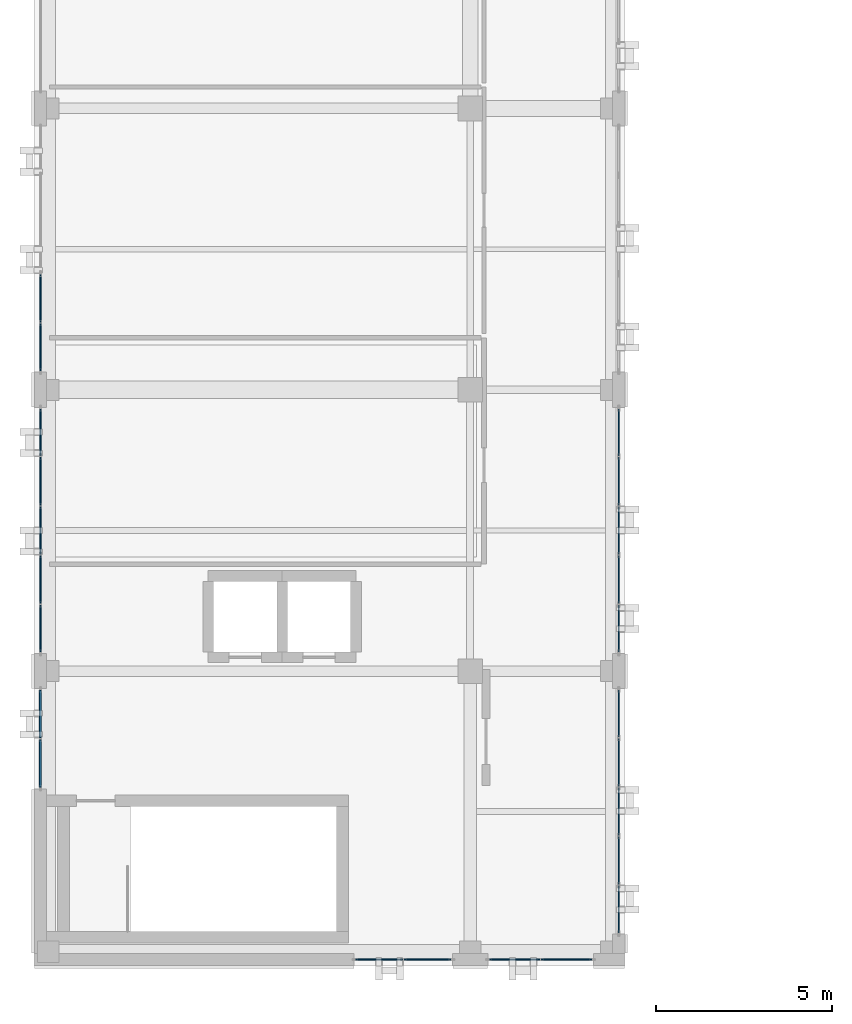
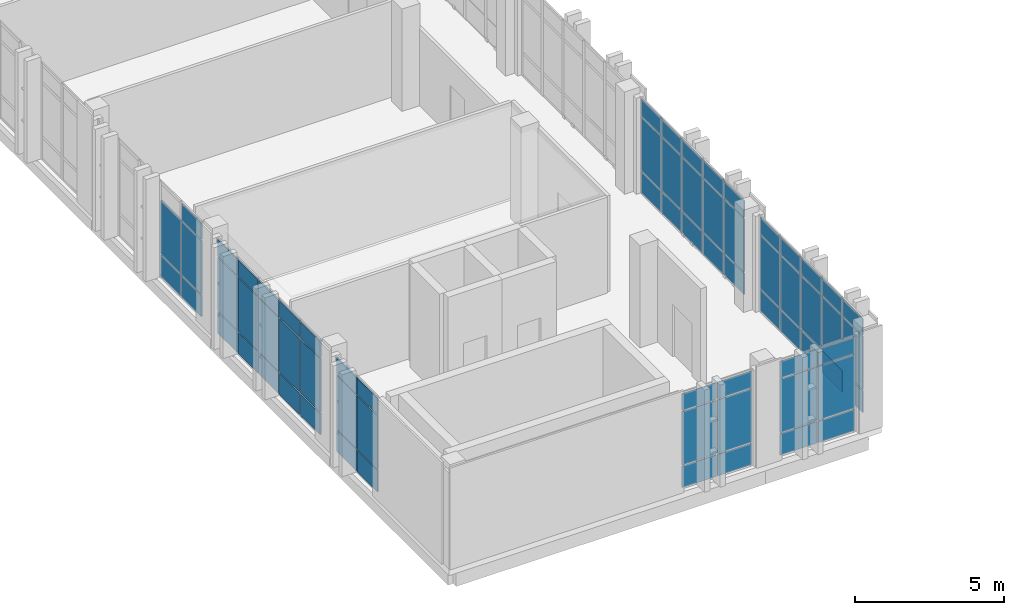
# One storey, part 31 of 48: 68 plates, 7 elements without a shape of their own.
"""IFC4 building model written with IfcOpenShell, lengths in metres."""

import ifcopenshell
import ifcopenshell.guid

model = None  # the IFC model being written
_history = None  # IfcOwnerHistory: only IFC2X3 demands one
_inside = {}  # id of a spatial element -> (the spatial element, [elements in it])
_under = {}  # id of a project, library or spatial element -> (it, [spatial elements below it])
_declared = {}  # id of a project -> (the project, [libraries it declares])
_typed = {}  # id of a type object -> (the type object, [elements of that type])
_made_of = {}  # id of a material, layer set ... -> (it, [elements and type objects made of it])


def new_model(schema):
    """Start an empty IFC model of exactly this schema.

    Asked for "IFC4X3", IfcOpenShell would pick the latest addendum, in which some entities
    have other attributes; the version numbers below select the first issue.
    IFC2X3 requires an IfcOwnerHistory on every rooted entity: one is made here for all.
    """
    global model, _history
    if schema == "IFC4X3":
        model = ifcopenshell.file(schema_version=(4, 3, 0, 0))
    else:
        model = ifcopenshell.file(schema=schema)
    _inside.clear()
    _under.clear()
    _declared.clear()
    _typed.clear()
    _made_of.clear()
    _history = None
    if model.schema == "IFC2X3":
        org = make("IfcOrganization", Name="unknown")
        user = make(
            "IfcPersonAndOrganization",
            ThePerson=make("IfcPerson", FamilyName="unknown"),
            TheOrganization=org,
        )
        app = make(
            "IfcApplication",
            ApplicationDeveloper=org,
            Version="unknown",
            ApplicationFullName="unknown",
            ApplicationIdentifier="unknown",
        )
        _history = make(
            "IfcOwnerHistory",
            OwningUser=user,
            OwningApplication=app,
            ChangeAction="ADDED",
            CreationDate=0,
        )
    return model


def make(cls, **values):
    """One entity of the class cls with the attributes given. An attribute that is None is left unset."""
    return model.create_entity(
        cls, **{name: value for name, value in values.items() if value is not None}
    )


def rooted(cls, **values):
    """An entity with a GlobalId (a new one), such as an element, a storey or a relation."""
    return make(cls, GlobalId=ifcopenshell.guid.new(), OwnerHistory=_history, **values)


def si_unit(unit_type, name, prefix=None):
    """IfcSIUnit, for example si_unit("LENGTHUNIT", "METRE", prefix="MILLI")."""
    return make("IfcSIUnit", UnitType=unit_type, Prefix=prefix, Name=name)


def assignment(units):
    """IfcUnitAssignment: the units of a project."""
    return None if units is None else make("IfcUnitAssignment", Units=units)


def point(xyz):
    """IfcCartesianPoint."""
    return None if xyz is None else make("IfcCartesianPoint", Coordinates=xyz)


def direction(xyz):
    """IfcDirection."""
    return None if xyz is None else make("IfcDirection", DirectionRatios=xyz)


def frame(location, z_axis=None, x_axis=None):
    """IfcAxis2Placement3D, a coordinate frame: its origin and axes. An axis left out is left unset."""
    return make(
        "IfcAxis2Placement3D",
        Location=point(location),
        Axis=direction(z_axis),
        RefDirection=direction(x_axis),
    )


def frame_2d(location, x_axis=None):
    """IfcAxis2Placement2D, a coordinate frame in the plane: its origin and x axis."""
    return make(
        "IfcAxis2Placement2D", Location=point(location), RefDirection=direction(x_axis)
    )


def origin():
    """The frame at (0, 0, 0) with its axes left unset."""
    return frame((0.0, 0.0, 0.0))


def origin_2d():
    """The frame at (0, 0) in the plane with its x axis left unset."""
    return frame_2d((0.0, 0.0))


def place(relative_to, where):
    """IfcLocalPlacement: puts the frame where relative to a parent placement (None: the world)."""
    return make(
        "IfcLocalPlacement", PlacementRelTo=relative_to, RelativePlacement=where
    )


def context(
    kind, dimensions, precision=None, world=None, true_north=None, identifier=None
):
    """IfcGeometricRepresentationContext, for example the 3D "Model" context."""
    return make(
        "IfcGeometricRepresentationContext",
        ContextIdentifier=identifier,
        ContextType=kind,
        CoordinateSpaceDimension=dimensions,
        Precision=precision,
        WorldCoordinateSystem=world,
        TrueNorth=true_north,
    )


def subcontext(parent, identifier, kind, view, scale=None):
    """IfcGeometricRepresentationSubContext, for example "Body" below "Model"."""
    return make(
        "IfcGeometricRepresentationSubContext",
        ContextIdentifier=identifier,
        ContextType=kind,
        ParentContext=parent,
        TargetScale=scale,
        TargetView=view,
    )


def project(units=None, contexts=None):
    """IfcProject with its units and contexts."""
    return rooted(
        "IfcProject",
        Name="project",
        RepresentationContexts=contexts,
        UnitsInContext=assignment(units),
    )


def spatial(cls, under=None, at=None, **own):
    """A site, building, storey or space (cls), placed at a placement, below another one or the project."""
    s = rooted(cls, ObjectPlacement=at, **own)
    if under is not None:
        _under.setdefault(under.id(), (under, []))[1].append(s)
    return s


def profile(cls, at=None, kind="AREA", **sizes):
    """A parametric profile (cls). Its sizes go by their IFC names, for example OverallWidth=200.0."""
    return make(cls, ProfileType=kind, Position=at, **sizes)


def rectangle(**sizes):
    """IfcRectangleProfileDef."""
    return profile("IfcRectangleProfileDef", **sizes)


def extrude(swept, where, along, depth):
    """IfcExtrudedAreaSolid: the profile swept, set in the frame where, extruded along a direction by depth."""
    return make(
        "IfcExtrudedAreaSolid",
        SweptArea=swept,
        Position=where,
        ExtrudedDirection=direction(along),
        Depth=depth,
    )


def shape(context_of_items, identifier, shape_type, items):
    """IfcShapeRepresentation: the items that make up one representation, for example the "Body"."""
    return make(
        "IfcShapeRepresentation",
        ContextOfItems=context_of_items,
        RepresentationIdentifier=identifier,
        RepresentationType=shape_type,
        Items=items,
    )


def material(Name=None, Category=None):
    """IfcMaterial."""
    return make("IfcMaterial", Name=Name, Category=Category)


def layer(
    of_material, thickness, ventilated=None, Name=None, Category=None, Priority=None
):
    """IfcMaterialLayer: one layer of a wall or slab, of a material (None: an air gap)."""
    return make(
        "IfcMaterialLayer",
        Material=of_material,
        LayerThickness=thickness,
        IsVentilated=ventilated,
        Name=Name,
        Category=Category,
        Priority=Priority,
    )


def layer_set(layers, Name=None):
    """IfcMaterialLayerSet."""
    return make("IfcMaterialLayerSet", MaterialLayers=layers, LayerSetName=Name)


def made_of(thing, what):
    """Note that an element or type object is made of a material, layer set ...; save() writes the relation."""
    if what is not None:
        _made_of.setdefault(what.id(), (what, []))[1].append(thing)
    return thing


def type_object(cls, material=None, **own):
    """A type object (cls), such as IfcWallType, which elements share."""
    return made_of(rooted(cls, **own), material)


def element(
    cls,
    number,
    at=None,
    inside=None,
    cuts=None,
    type_object=None,
    material=None,
    context=None,
    identifier="Body",
    shape_type=None,
    held_by="IfcProductDefinitionShape",
    body=None,
    shapes=None,
    **own,
):
    """One element of the class cls, such as IfcWall. Its Tag is "e" and its number.

    at: its placement. inside: the storey or other place that contains it. cuts: it is an
    opening in that element (IfcRelVoidsElement). A single representation is given by context,
    identifier, shape_type and body (its items); several are given by shapes. held_by: the class
    of the entity that holds the representations. save() writes the other relations.
    """
    e = rooted(cls, Tag="e%d" % number, ObjectPlacement=at, **own)
    if body is not None:
        shapes = [shape(context, identifier, shape_type, body)]
    if shapes is not None:
        e.Representation = make(held_by, Representations=shapes)
    if inside is not None:
        _inside.setdefault(inside.id(), (inside, []))[1].append(e)
    if cuts is not None:
        rooted(
            "IfcRelVoidsElement", RelatingBuildingElement=cuts, RelatedOpeningElement=e
        )
    if type_object is not None:
        _typed.setdefault(type_object.id(), (type_object, []))[1].append(e)
    return made_of(e, material)


def aggregate(whole, parts):
    """IfcRelAggregates: a whole, such as a stair, and the parts it consists of."""
    return rooted("IfcRelAggregates", RelatingObject=whole, RelatedObjects=parts)


def save(model, path):
    """Write the relations noted so far, then the file.

    IfcRelAggregates (storeys below a building ...), IfcRelContainedInSpatialStructure (elements
    in a storey), IfcRelDefinesByType, IfcRelAssociatesMaterial and IfcRelDeclares: one each for
    every whole, place, type object, material and project.
    """
    for whole, parts in _under.values():
        aggregate(whole, parts)
    for where, things in _inside.values():
        rooted(
            "IfcRelContainedInSpatialStructure",
            RelatedElements=things,
            RelatingStructure=where,
        )
    for kind, things in _typed.values():
        rooted("IfcRelDefinesByType", RelatedObjects=things, RelatingType=kind)
    for what, things in _made_of.values():
        rooted("IfcRelAssociatesMaterial", RelatedObjects=things, RelatingMaterial=what)
    for by, libraries in _declared.values():
        rooted("IfcRelDeclares", RelatingContext=by, RelatedDefinitions=libraries)
    model.write(path)


model = new_model("IFC4")

# Units and contexts
model_context = context("Model", 3, precision=1e-05, world=origin(), true_north=direction((0.0, 1.0)))
body_context = subcontext(model_context, "Body", "Model", "MODEL_VIEW")
ifc_project = project(units=[si_unit("LENGTHUNIT", "METRE"), si_unit("AREAUNIT", "SQUARE_METRE"), si_unit("VOLUMEUNIT", "CUBIC_METRE"), si_unit("PLANEANGLEUNIT", "RADIAN"), si_unit("MASSUNIT", "GRAM", prefix="KILO")], contexts=[model_context])

# Site, building, storey
site_placement = place(None, origin())
site = spatial("IfcSite", under=ifc_project, at=site_placement, CompositionType="ELEMENT")
building_placement = place(site_placement, origin())
building = spatial("IfcBuilding", under=site, at=building_placement, Name="Qalavern Law Courts", CompositionType="ELEMENT")
storey_placement = place(building_placement, frame((0.0, 0.0, 31.199951171875)))
storey = spatial("IfcBuildingStorey", under=building, at=storey_placement, Name="L07", CompositionType="ELEMENT", Elevation=31.199951171875)

# Curtain wall, plates
ifc_material_1 = material(Name="Anodised aluminium and insulated glazing", Category="aluminium")
ifc_layer_1 = layer(ifc_material_1, 0.159912109375)
ifc_layer_set_1 = layer_set([ifc_layer_1], Name="Anodised aluminium and insulated glazing")
curtain_wall_type = type_object("IfcCurtainWallType", Name="ENV-CW-CHAMB", PredefinedType="USERDEFINED", material=ifc_layer_set_1)
curtain_wall_1_placement = place(storey_placement, origin())
curtain_wall_1 = element("IfcCurtainWall", 1, at=curtain_wall_1_placement, inside=storey, type_object=curtain_wall_type, Name="V3 unitised curtain wall L07 south 1", ObjectType="UNITISED CURTAIN WALL", PredefinedType="USERDEFINED")
ifc_material_2 = material(Name="Insulated low-E acoustic glazing", Category="glass")
ifc_layer_2 = layer(ifc_material_2, 0.035888671875)
ifc_layer_set_2 = layer_set([ifc_layer_2], Name="Insulated low-E acoustic glazing")
plate_type_1 = type_object("IfcPlateType", Name="ENV-CWP-36", PredefinedType="CURTAIN_PANEL", material=ifc_layer_set_2)
plate_1_placement = place(storey_placement, frame((11.81201171875, 41.197509765625, 0.048095703125), z_axis=(0.0, 0.0, 1.0), x_axis=(1.0, 0.0, 0.0)))
plate_1 = element("IfcPlate", 2, at=plate_1_placement, type_object=plate_type_1, Name="CW-04 panel 1.1", PredefinedType="CURTAIN_PANEL", context=body_context, shape_type="SweptSolid", body=[
    extrude(rectangle(XDim=1.327880859375, YDim=0.035888671875, at=origin_2d()), origin(), (0.0, 0.0, 1.0), 0.8779296875),
])
plate_2_placement = place(storey_placement, frame((11.81201171875, 41.197509765625, 0.97412109375), z_axis=(0.0, 0.0, 1.0), x_axis=(1.0, 0.0, 0.0)))
plate_2 = element("IfcPlate", 3, at=plate_2_placement, type_object=plate_type_1, Name="CW-04 panel 1.2", PredefinedType="CURTAIN_PANEL", context=body_context, shape_type="SweptSolid", body=[
    extrude(rectangle(XDim=1.327880859375, YDim=0.035888671875, at=origin_2d()), origin(), (0.0, 0.0, 1.0), 2.19189453125),
])
plate_3_placement = place(storey_placement, frame((11.81201171875, 41.197509765625, 3.2138671875), z_axis=(0.0, 0.0, 1.0), x_axis=(1.0, 0.0, 0.0)))
plate_3 = element("IfcPlate", 4, at=plate_3_placement, type_object=plate_type_1, Name="CW-04 panel 1.3", PredefinedType="CURTAIN_PANEL", context=body_context, shape_type="SweptSolid", body=[
    extrude(rectangle(XDim=1.327880859375, YDim=0.035888671875, at=origin_2d()), origin(), (0.0, 0.0, 1.0), 0.677978515625),
])
plate_4_placement = place(storey_placement, frame((13.18798828125, 41.197509765625, 0.048095703125), z_axis=(0.0, 0.0, 1.0), x_axis=(1.0, 0.0, 0.0)))
plate_4 = element("IfcPlate", 5, at=plate_4_placement, type_object=plate_type_1, Name="CW-04 panel 2.1", PredefinedType="CURTAIN_PANEL", context=body_context, shape_type="SweptSolid", body=[
    extrude(rectangle(XDim=1.327880859375, YDim=0.035888671875, at=origin_2d()), origin(), (0.0, 0.0, 1.0), 0.8779296875),
])
plate_5_placement = place(storey_placement, frame((13.18798828125, 41.197509765625, 0.97412109375), z_axis=(0.0, 0.0, 1.0), x_axis=(1.0, 0.0, 0.0)))
plate_5 = element("IfcPlate", 6, at=plate_5_placement, type_object=plate_type_1, Name="CW-04 panel 2.2", PredefinedType="CURTAIN_PANEL", context=body_context, shape_type="SweptSolid", body=[
    extrude(rectangle(XDim=1.327880859375, YDim=0.035888671875, at=origin_2d()), origin(), (0.0, 0.0, 1.0), 2.19189453125),
])
plate_6_placement = place(storey_placement, frame((13.18798828125, 41.197509765625, 3.2138671875), z_axis=(0.0, 0.0, 1.0), x_axis=(1.0, 0.0, 0.0)))
plate_6 = element("IfcPlate", 7, at=plate_6_placement, type_object=plate_type_1, Name="CW-04 panel 2.3", PredefinedType="CURTAIN_PANEL", context=body_context, shape_type="SweptSolid", body=[
    extrude(rectangle(XDim=1.327880859375, YDim=0.035888671875, at=origin_2d()), origin(), (0.0, 0.0, 1.0), 0.677978515625),
])
aggregate(curtain_wall_1, [plate_1, plate_2, plate_3, plate_4, plate_5, plate_6])

curtain_wall_2_placement = place(storey_placement, origin())
curtain_wall_2 = element("IfcCurtainWall", 8, at=curtain_wall_2_placement, inside=storey, type_object=curtain_wall_type, Name="V3 unitised curtain wall L07 east 1", ObjectType="UNITISED CURTAIN WALL", PredefinedType="USERDEFINED")
plate_7_placement = place(storey_placement, frame((18.62255859375, 42.6298828125, 0.048095703125), z_axis=(0.0, 0.0, 1.0), x_axis=(0.0, 1.0, 0.0)))
plate_7 = element("IfcPlate", 9, at=plate_7_placement, type_object=plate_type_1, Name="CW-04 panel 1.1", PredefinedType="CURTAIN_PANEL", context=body_context, shape_type="SweptSolid", body=[
    extrude(rectangle(XDim=1.323974609375, YDim=0.035888671875, at=origin_2d()), origin(), (0.0, 0.0, 1.0), 0.8779296875),
])
plate_8_placement = place(storey_placement, frame((18.62255859375, 42.6298828125, 0.97412109375), z_axis=(0.0, 0.0, 1.0), x_axis=(0.0, 1.0, 0.0)))
plate_8 = element("IfcPlate", 10, at=plate_8_placement, type_object=plate_type_1, Name="CW-04 panel 1.2", PredefinedType="CURTAIN_PANEL", context=body_context, shape_type="SweptSolid", body=[
    extrude(rectangle(XDim=1.323974609375, YDim=0.035888671875, at=origin_2d()), origin(), (0.0, 0.0, 1.0), 2.19189453125),
])
plate_9_placement = place(storey_placement, frame((18.62255859375, 42.6298828125, 3.2138671875), z_axis=(0.0, 0.0, 1.0), x_axis=(0.0, 1.0, 0.0)))
plate_9 = element("IfcPlate", 11, at=plate_9_placement, type_object=plate_type_1, Name="CW-04 panel 1.3", PredefinedType="CURTAIN_PANEL", context=body_context, shape_type="SweptSolid", body=[
    extrude(rectangle(XDim=1.323974609375, YDim=0.035888671875, at=origin_2d()), origin(), (0.0, 0.0, 1.0), 0.677978515625),
])
plate_10_placement = place(storey_placement, frame((18.62255859375, 44.013916015625, 0.048095703125), z_axis=(0.0, 0.0, 1.0), x_axis=(0.0, 1.0, 0.0)))
plate_10 = element("IfcPlate", 12, at=plate_10_placement, type_object=plate_type_1, Name="CW-04 panel 2.1", PredefinedType="CURTAIN_PANEL", context=body_context, shape_type="SweptSolid", body=[
    extrude(rectangle(XDim=1.347900390625, YDim=0.035888671875, at=origin_2d()), origin(), (0.0, 0.0, 1.0), 0.8779296875),
])
plate_11_placement = place(storey_placement, frame((18.62255859375, 44.013916015625, 0.97412109375), z_axis=(0.0, 0.0, 1.0), x_axis=(0.0, 1.0, 0.0)))
plate_11 = element("IfcPlate", 13, at=plate_11_placement, type_object=plate_type_1, Name="CW-04 panel 2.2", PredefinedType="CURTAIN_PANEL", context=body_context, shape_type="SweptSolid", body=[
    extrude(rectangle(XDim=1.347900390625, YDim=0.035888671875, at=origin_2d()), origin(), (0.0, 0.0, 1.0), 2.19189453125),
])
plate_12_placement = place(storey_placement, frame((18.62255859375, 44.013916015625, 3.2138671875), z_axis=(0.0, 0.0, 1.0), x_axis=(0.0, 1.0, 0.0)))
plate_12 = element("IfcPlate", 14, at=plate_12_placement, type_object=plate_type_1, Name="CW-04 panel 2.3", PredefinedType="CURTAIN_PANEL", context=body_context, shape_type="SweptSolid", body=[
    extrude(rectangle(XDim=1.347900390625, YDim=0.035888671875, at=origin_2d()), origin(), (0.0, 0.0, 1.0), 0.677978515625),
])
plate_13_placement = place(storey_placement, frame((18.62255859375, 45.409912109375, 0.048095703125), z_axis=(0.0, 0.0, 1.0), x_axis=(0.0, 1.0, 0.0)))
plate_13 = element("IfcPlate", 15, at=plate_13_placement, type_object=plate_type_1, Name="CW-04 panel 3.1", PredefinedType="CURTAIN_PANEL", context=body_context, shape_type="SweptSolid", body=[
    extrude(rectangle(XDim=1.347900390625, YDim=0.035888671875, at=origin_2d()), origin(), (0.0, 0.0, 1.0), 0.8779296875),
])
plate_14_placement = place(storey_placement, frame((18.62255859375, 45.409912109375, 0.97412109375), z_axis=(0.0, 0.0, 1.0), x_axis=(0.0, 1.0, 0.0)))
plate_14 = element("IfcPlate", 16, at=plate_14_placement, type_object=plate_type_1, Name="CW-04 panel 3.2", PredefinedType="CURTAIN_PANEL", context=body_context, shape_type="SweptSolid", body=[
    extrude(rectangle(XDim=1.347900390625, YDim=0.035888671875, at=origin_2d()), origin(), (0.0, 0.0, 1.0), 2.19189453125),
])
plate_15_placement = place(storey_placement, frame((18.62255859375, 45.409912109375, 3.2138671875), z_axis=(0.0, 0.0, 1.0), x_axis=(0.0, 1.0, 0.0)))
plate_15 = element("IfcPlate", 17, at=plate_15_placement, type_object=plate_type_1, Name="CW-04 panel 3.3", PredefinedType="CURTAIN_PANEL", context=body_context, shape_type="SweptSolid", body=[
    extrude(rectangle(XDim=1.347900390625, YDim=0.035888671875, at=origin_2d()), origin(), (0.0, 0.0, 1.0), 0.677978515625),
])
plate_16_placement = place(storey_placement, frame((18.62255859375, 46.805908203125, 0.048095703125), z_axis=(0.0, 0.0, 1.0), x_axis=(0.0, 1.0, 0.0)))
plate_16 = element("IfcPlate", 18, at=plate_16_placement, type_object=plate_type_1, Name="CW-04 panel 4.1", PredefinedType="CURTAIN_PANEL", context=body_context, shape_type="SweptSolid", body=[
    extrude(rectangle(XDim=1.347900390625, YDim=0.035888671875, at=origin_2d()), origin(), (0.0, 0.0, 1.0), 0.8779296875),
])
plate_17_placement = place(storey_placement, frame((18.62255859375, 46.805908203125, 0.97412109375), z_axis=(0.0, 0.0, 1.0), x_axis=(0.0, 1.0, 0.0)))
plate_17 = element("IfcPlate", 19, at=plate_17_placement, type_object=plate_type_1, Name="CW-04 panel 4.2", PredefinedType="CURTAIN_PANEL", context=body_context, shape_type="SweptSolid", body=[
    extrude(rectangle(XDim=1.347900390625, YDim=0.035888671875, at=origin_2d()), origin(), (0.0, 0.0, 1.0), 2.19189453125),
])
plate_18_placement = place(storey_placement, frame((18.62255859375, 46.805908203125, 3.2138671875), z_axis=(0.0, 0.0, 1.0), x_axis=(0.0, 1.0, 0.0)))
plate_18 = element("IfcPlate", 20, at=plate_18_placement, type_object=plate_type_1, Name="CW-04 panel 4.3", PredefinedType="CURTAIN_PANEL", context=body_context, shape_type="SweptSolid", body=[
    extrude(rectangle(XDim=1.347900390625, YDim=0.035888671875, at=origin_2d()), origin(), (0.0, 0.0, 1.0), 0.677978515625),
])
plate_19_placement = place(storey_placement, frame((18.62255859375, 48.18994140625, 0.048095703125), z_axis=(0.0, 0.0, 1.0), x_axis=(0.0, 1.0, 0.0)))
plate_19 = element("IfcPlate", 21, at=plate_19_placement, type_object=plate_type_1, Name="CW-04 panel 5.1", PredefinedType="CURTAIN_PANEL", context=body_context, shape_type="SweptSolid", body=[
    extrude(rectangle(XDim=1.323974609375, YDim=0.035888671875, at=origin_2d()), origin(), (0.0, 0.0, 1.0), 0.8779296875),
])
plate_20_placement = place(storey_placement, frame((18.62255859375, 48.18994140625, 0.97412109375), z_axis=(0.0, 0.0, 1.0), x_axis=(0.0, 1.0, 0.0)))
plate_20 = element("IfcPlate", 22, at=plate_20_placement, type_object=plate_type_1, Name="CW-04 panel 5.2", PredefinedType="CURTAIN_PANEL", context=body_context, shape_type="SweptSolid", body=[
    extrude(rectangle(XDim=1.323974609375, YDim=0.035888671875, at=origin_2d()), origin(), (0.0, 0.0, 1.0), 2.19189453125),
])
plate_21_placement = place(storey_placement, frame((18.62255859375, 48.18994140625, 3.2138671875), z_axis=(0.0, 0.0, 1.0), x_axis=(0.0, 1.0, 0.0)))
plate_21 = element("IfcPlate", 23, at=plate_21_placement, type_object=plate_type_1, Name="CW-04 panel 5.3", PredefinedType="CURTAIN_PANEL", context=body_context, shape_type="SweptSolid", body=[
    extrude(rectangle(XDim=1.323974609375, YDim=0.035888671875, at=origin_2d()), origin(), (0.0, 0.0, 1.0), 0.677978515625),
])
aggregate(curtain_wall_2, [plate_7, plate_8, plate_9, plate_10, plate_11, plate_12, plate_13, plate_14, plate_15, plate_16, plate_17, plate_18, plate_19, plate_20, plate_21])

curtain_wall_3_placement = place(storey_placement, origin())
curtain_wall_3 = element("IfcCurtainWall", 24, at=curtain_wall_3_placement, inside=storey, type_object=curtain_wall_type, Name="V3 unitised curtain wall L07 south 2", ObjectType="UNITISED CURTAIN WALL", PredefinedType="USERDEFINED")
ifc_layer_3 = layer(ifc_material_2, 0.0400390625)
ifc_layer_set_3 = layer_set([ifc_layer_3], Name="Insulated low-E acoustic glazing")
plate_type_2 = type_object("IfcPlateType", Name="ENV-CWP-40", PredefinedType="CURTAIN_PANEL", material=ifc_layer_set_3)
plate_22_placement = place(storey_placement, frame((15.662109375, 41.197509765625, 0.048095703125), z_axis=(0.0, 0.0, 1.0), x_axis=(1.0, 0.0, 0.0)))
plate_22 = element("IfcPlate", 25, at=plate_22_placement, type_object=plate_type_2, Name="CW-04 panel 1.1", PredefinedType="CURTAIN_PANEL", context=body_context, shape_type="SweptSolid", body=[
    extrude(rectangle(XDim=1.427978515625, YDim=0.0400390625, at=origin_2d()), origin(), (0.0, 0.0, 1.0), 0.8779296875),
])
plate_23_placement = place(storey_placement, frame((15.662109375, 41.197509765625, 0.97412109375), z_axis=(0.0, 0.0, 1.0), x_axis=(1.0, 0.0, 0.0)))
plate_23 = element("IfcPlate", 26, at=plate_23_placement, type_object=plate_type_2, Name="CW-04 panel 1.2", PredefinedType="CURTAIN_PANEL", context=body_context, shape_type="SweptSolid", body=[
    extrude(rectangle(XDim=1.427978515625, YDim=0.0400390625, at=origin_2d()), origin(), (0.0, 0.0, 1.0), 2.19189453125),
])
plate_24_placement = place(storey_placement, frame((15.662109375, 41.197509765625, 3.2138671875), z_axis=(0.0, 0.0, 1.0), x_axis=(1.0, 0.0, 0.0)))
plate_24 = element("IfcPlate", 27, at=plate_24_placement, type_object=plate_type_2, Name="CW-04 panel 1.3", PredefinedType="CURTAIN_PANEL", context=body_context, shape_type="SweptSolid", body=[
    extrude(rectangle(XDim=1.427978515625, YDim=0.0400390625, at=origin_2d()), origin(), (0.0, 0.0, 1.0), 0.677978515625),
])
plate_25_placement = place(storey_placement, frame((17.137939453125, 41.197509765625, 0.048095703125), z_axis=(0.0, 0.0, 1.0), x_axis=(1.0, 0.0, 0.0)))
plate_25 = element("IfcPlate", 28, at=plate_25_placement, type_object=plate_type_2, Name="CW-04 panel 2.1", PredefinedType="CURTAIN_PANEL", context=body_context, shape_type="SweptSolid", body=[
    extrude(rectangle(XDim=1.427978515625, YDim=0.0400390625, at=origin_2d()), origin(), (0.0, 0.0, 1.0), 0.8779296875),
])
plate_26_placement = place(storey_placement, frame((17.137939453125, 41.197509765625, 0.97412109375), z_axis=(0.0, 0.0, 1.0), x_axis=(1.0, 0.0, 0.0)))
plate_26 = element("IfcPlate", 29, at=plate_26_placement, type_object=plate_type_2, Name="CW-04 panel 2.2", PredefinedType="CURTAIN_PANEL", context=body_context, shape_type="SweptSolid", body=[
    extrude(rectangle(XDim=1.427978515625, YDim=0.0400390625, at=origin_2d()), origin(), (0.0, 0.0, 1.0), 2.19189453125),
])
plate_27_placement = place(storey_placement, frame((17.137939453125, 41.197509765625, 3.2138671875), z_axis=(0.0, 0.0, 1.0), x_axis=(1.0, 0.0, 0.0)))
plate_27 = element("IfcPlate", 30, at=plate_27_placement, type_object=plate_type_2, Name="CW-04 panel 2.3", PredefinedType="CURTAIN_PANEL", context=body_context, shape_type="SweptSolid", body=[
    extrude(rectangle(XDim=1.427978515625, YDim=0.0400390625, at=origin_2d()), origin(), (0.0, 0.0, 1.0), 0.677978515625),
])
aggregate(curtain_wall_3, [plate_22, plate_23, plate_24, plate_25, plate_26, plate_27])

curtain_wall_4_placement = place(storey_placement, origin())
curtain_wall_4 = element("IfcCurtainWall", 31, at=curtain_wall_4_placement, inside=storey, type_object=curtain_wall_type, Name="V3 unitised curtain wall L07 east 2", ObjectType="UNITISED CURTAIN WALL", PredefinedType="USERDEFINED")
plate_28_placement = place(storey_placement, frame((18.62255859375, 50.612060546875, 0.048095703125), z_axis=(0.0, 0.0, 1.0), x_axis=(0.0, 1.0, 0.0)))
plate_28 = element("IfcPlate", 32, at=plate_28_placement, type_object=plate_type_2, Name="CW-04 panel 1.1", PredefinedType="CURTAIN_PANEL", context=body_context, shape_type="SweptSolid", body=[
    extrude(rectangle(XDim=1.327880859375, YDim=0.0400390625, at=origin_2d()), origin(), (0.0, 0.0, 1.0), 0.8779296875),
])
plate_29_placement = place(storey_placement, frame((18.62255859375, 50.612060546875, 0.97412109375), z_axis=(0.0, 0.0, 1.0), x_axis=(0.0, 1.0, 0.0)))
plate_29 = element("IfcPlate", 33, at=plate_29_placement, type_object=plate_type_2, Name="CW-04 panel 1.2", PredefinedType="CURTAIN_PANEL", context=body_context, shape_type="SweptSolid", body=[
    extrude(rectangle(XDim=1.327880859375, YDim=0.0400390625, at=origin_2d()), origin(), (0.0, 0.0, 1.0), 2.19189453125),
])
plate_30_placement = place(storey_placement, frame((18.62255859375, 50.612060546875, 3.2138671875), z_axis=(0.0, 0.0, 1.0), x_axis=(0.0, 1.0, 0.0)))
plate_30 = element("IfcPlate", 34, at=plate_30_placement, type_object=plate_type_2, Name="CW-04 panel 1.3", PredefinedType="CURTAIN_PANEL", context=body_context, shape_type="SweptSolid", body=[
    extrude(rectangle(XDim=1.327880859375, YDim=0.0400390625, at=origin_2d()), origin(), (0.0, 0.0, 1.0), 0.677978515625),
])
plate_31_placement = place(storey_placement, frame((18.62255859375, 52.0, 0.048095703125), z_axis=(0.0, 0.0, 1.0), x_axis=(0.0, 1.0, 0.0)))
plate_31 = element("IfcPlate", 35, at=plate_31_placement, type_object=plate_type_2, Name="CW-04 panel 2.1", PredefinedType="CURTAIN_PANEL", context=body_context, shape_type="SweptSolid", body=[
    extrude(rectangle(XDim=1.35205078125, YDim=0.0400390625, at=origin_2d()), origin(), (0.0, 0.0, 1.0), 0.8779296875),
])
plate_32_placement = place(storey_placement, frame((18.62255859375, 52.0, 0.97412109375), z_axis=(0.0, 0.0, 1.0), x_axis=(0.0, 1.0, 0.0)))
plate_32 = element("IfcPlate", 36, at=plate_32_placement, type_object=plate_type_2, Name="CW-04 panel 2.2", PredefinedType="CURTAIN_PANEL", context=body_context, shape_type="SweptSolid", body=[
    extrude(rectangle(XDim=1.35205078125, YDim=0.0400390625, at=origin_2d()), origin(), (0.0, 0.0, 1.0), 2.19189453125),
])
plate_33_placement = place(storey_placement, frame((18.62255859375, 52.0, 3.2138671875), z_axis=(0.0, 0.0, 1.0), x_axis=(0.0, 1.0, 0.0)))
plate_33 = element("IfcPlate", 37, at=plate_33_placement, type_object=plate_type_2, Name="CW-04 panel 2.3", PredefinedType="CURTAIN_PANEL", context=body_context, shape_type="SweptSolid", body=[
    extrude(rectangle(XDim=1.35205078125, YDim=0.0400390625, at=origin_2d()), origin(), (0.0, 0.0, 1.0), 0.677978515625),
])
plate_34_placement = place(storey_placement, frame((18.62255859375, 53.39990234375, 0.048095703125), z_axis=(0.0, 0.0, 1.0), x_axis=(0.0, 1.0, 0.0)))
plate_34 = element("IfcPlate", 38, at=plate_34_placement, type_object=plate_type_2, Name="CW-04 panel 3.1", PredefinedType="CURTAIN_PANEL", context=body_context, shape_type="SweptSolid", body=[
    extrude(rectangle(XDim=1.35205078125, YDim=0.0400390625, at=origin_2d()), origin(), (0.0, 0.0, 1.0), 0.8779296875),
])
plate_35_placement = place(storey_placement, frame((18.62255859375, 53.39990234375, 0.97412109375), z_axis=(0.0, 0.0, 1.0), x_axis=(0.0, 1.0, 0.0)))
plate_35 = element("IfcPlate", 39, at=plate_35_placement, type_object=plate_type_2, Name="CW-04 panel 3.2", PredefinedType="CURTAIN_PANEL", context=body_context, shape_type="SweptSolid", body=[
    extrude(rectangle(XDim=1.35205078125, YDim=0.0400390625, at=origin_2d()), origin(), (0.0, 0.0, 1.0), 2.19189453125),
])
plate_36_placement = place(storey_placement, frame((18.62255859375, 53.39990234375, 3.2138671875), z_axis=(0.0, 0.0, 1.0), x_axis=(0.0, 1.0, 0.0)))
plate_36 = element("IfcPlate", 40, at=plate_36_placement, type_object=plate_type_2, Name="CW-04 panel 3.3", PredefinedType="CURTAIN_PANEL", context=body_context, shape_type="SweptSolid", body=[
    extrude(rectangle(XDim=1.35205078125, YDim=0.0400390625, at=origin_2d()), origin(), (0.0, 0.0, 1.0), 0.677978515625),
])
plate_37_placement = place(storey_placement, frame((18.62255859375, 54.800048828125, 0.048095703125), z_axis=(0.0, 0.0, 1.0), x_axis=(0.0, 1.0, 0.0)))
plate_37 = element("IfcPlate", 41, at=plate_37_placement, type_object=plate_type_2, Name="CW-04 panel 4.1", PredefinedType="CURTAIN_PANEL", context=body_context, shape_type="SweptSolid", body=[
    extrude(rectangle(XDim=1.35205078125, YDim=0.0400390625, at=origin_2d()), origin(), (0.0, 0.0, 1.0), 0.8779296875),
])
plate_38_placement = place(storey_placement, frame((18.62255859375, 54.800048828125, 0.97412109375), z_axis=(0.0, 0.0, 1.0), x_axis=(0.0, 1.0, 0.0)))
plate_38 = element("IfcPlate", 42, at=plate_38_placement, type_object=plate_type_2, Name="CW-04 panel 4.2", PredefinedType="CURTAIN_PANEL", context=body_context, shape_type="SweptSolid", body=[
    extrude(rectangle(XDim=1.35205078125, YDim=0.0400390625, at=origin_2d()), origin(), (0.0, 0.0, 1.0), 2.19189453125),
])
plate_39_placement = place(storey_placement, frame((18.62255859375, 54.800048828125, 3.2138671875), z_axis=(0.0, 0.0, 1.0), x_axis=(0.0, 1.0, 0.0)))
plate_39 = element("IfcPlate", 43, at=plate_39_placement, type_object=plate_type_2, Name="CW-04 panel 4.3", PredefinedType="CURTAIN_PANEL", context=body_context, shape_type="SweptSolid", body=[
    extrude(rectangle(XDim=1.35205078125, YDim=0.0400390625, at=origin_2d()), origin(), (0.0, 0.0, 1.0), 0.677978515625),
])
plate_40_placement = place(storey_placement, frame((18.62255859375, 56.18798828125, 0.048095703125), z_axis=(0.0, 0.0, 1.0), x_axis=(0.0, 1.0, 0.0)))
plate_40 = element("IfcPlate", 44, at=plate_40_placement, type_object=plate_type_2, Name="CW-04 panel 5.1", PredefinedType="CURTAIN_PANEL", context=body_context, shape_type="SweptSolid", body=[
    extrude(rectangle(XDim=1.327880859375, YDim=0.0400390625, at=origin_2d()), origin(), (0.0, 0.0, 1.0), 0.8779296875),
])
plate_41_placement = place(storey_placement, frame((18.62255859375, 56.18798828125, 0.97412109375), z_axis=(0.0, 0.0, 1.0), x_axis=(0.0, 1.0, 0.0)))
plate_41 = element("IfcPlate", 45, at=plate_41_placement, type_object=plate_type_2, Name="CW-04 panel 5.2", PredefinedType="CURTAIN_PANEL", context=body_context, shape_type="SweptSolid", body=[
    extrude(rectangle(XDim=1.327880859375, YDim=0.0400390625, at=origin_2d()), origin(), (0.0, 0.0, 1.0), 2.19189453125),
])
plate_42_placement = place(storey_placement, frame((18.62255859375, 56.18798828125, 3.2138671875), z_axis=(0.0, 0.0, 1.0), x_axis=(0.0, 1.0, 0.0)))
plate_42 = element("IfcPlate", 46, at=plate_42_placement, type_object=plate_type_2, Name="CW-04 panel 5.3", PredefinedType="CURTAIN_PANEL", context=body_context, shape_type="SweptSolid", body=[
    extrude(rectangle(XDim=1.327880859375, YDim=0.0400390625, at=origin_2d()), origin(), (0.0, 0.0, 1.0), 0.677978515625),
])
aggregate(curtain_wall_4, [plate_28, plate_29, plate_30, plate_31, plate_32, plate_33, plate_34, plate_35, plate_36, plate_37, plate_38, plate_39, plate_40, plate_41, plate_42])

curtain_wall_5_placement = place(storey_placement, origin())
curtain_wall_5 = element("IfcCurtainWall", 47, at=curtain_wall_5_placement, inside=storey, type_object=curtain_wall_type, Name="V3 unitised curtain wall L07 west 3", ObjectType="UNITISED CURTAIN WALL", PredefinedType="USERDEFINED")
ifc_layer_4 = layer(ifc_material_2, 0.0439453125)
ifc_layer_set_4 = layer_set([ifc_layer_4], Name="Insulated low-E acoustic glazing")
plate_type_3 = type_object("IfcPlateType", Name="ENV-CWP-44", PredefinedType="CURTAIN_PANEL", material=ifc_layer_set_4)
plate_43_placement = place(storey_placement, frame((2.177490234375, 60.0, 0.048095703125), z_axis=(0.0, 0.0, 1.0), x_axis=(0.0, -1.0, 0.0)))
plate_43 = element("IfcPlate", 48, at=plate_43_placement, type_object=plate_type_3, Name="CW-04 panel 4.1", PredefinedType="CURTAIN_PANEL", context=body_context, shape_type="SweptSolid", body=[
    extrude(rectangle(XDim=1.35205078125, YDim=0.0439453125, at=origin_2d()), origin(), (0.0, 0.0, 1.0), 0.8779296875),
])
plate_44_placement = place(storey_placement, frame((2.177490234375, 60.0, 0.97412109375), z_axis=(0.0, 0.0, 1.0), x_axis=(0.0, -1.0, 0.0)))
plate_44 = element("IfcPlate", 49, at=plate_44_placement, type_object=plate_type_3, Name="CW-04 panel 4.2", PredefinedType="CURTAIN_PANEL", context=body_context, shape_type="SweptSolid", body=[
    extrude(rectangle(XDim=1.35205078125, YDim=0.0439453125, at=origin_2d()), origin(), (0.0, 0.0, 1.0), 2.19189453125),
])
plate_45_placement = place(storey_placement, frame((2.177490234375, 58.612060546875, 0.048095703125), z_axis=(0.0, 0.0, 1.0), x_axis=(0.0, -1.0, 0.0)))
plate_45 = element("IfcPlate", 50, at=plate_45_placement, type_object=plate_type_3, Name="CW-04 panel 5.1", PredefinedType="CURTAIN_PANEL", context=body_context, shape_type="SweptSolid", body=[
    extrude(rectangle(XDim=1.327880859375, YDim=0.0439453125, at=origin_2d()), origin(), (0.0, 0.0, 1.0), 0.8779296875),
])
plate_46_placement = place(storey_placement, frame((2.177490234375, 58.612060546875, 0.97412109375), z_axis=(0.0, 0.0, 1.0), x_axis=(0.0, -1.0, 0.0)))
plate_46 = element("IfcPlate", 51, at=plate_46_placement, type_object=plate_type_3, Name="CW-04 panel 5.2", PredefinedType="CURTAIN_PANEL", context=body_context, shape_type="SweptSolid", body=[
    extrude(rectangle(XDim=1.327880859375, YDim=0.0439453125, at=origin_2d()), origin(), (0.0, 0.0, 1.0), 2.19189453125),
])
plate_47_placement = place(storey_placement, frame((2.177490234375, 58.612060546875, 3.2138671875), z_axis=(0.0, 0.0, 1.0), x_axis=(0.0, -1.0, 0.0)))
plate_47 = element("IfcPlate", 52, at=plate_47_placement, type_object=plate_type_3, Name="CW-04 panel 5.3", PredefinedType="CURTAIN_PANEL", context=body_context, shape_type="SweptSolid", body=[
    extrude(rectangle(XDim=1.327880859375, YDim=0.0439453125, at=origin_2d()), origin(), (0.0, 0.0, 1.0), 0.677978515625),
])
aggregate(curtain_wall_5, [plate_43, plate_44, plate_45, plate_46, plate_47])

curtain_wall_6_placement = place(storey_placement, origin())
curtain_wall_6 = element("IfcCurtainWall", 53, at=curtain_wall_6_placement, inside=storey, type_object=curtain_wall_type, Name="V3 unitised curtain wall L07 west 4", ObjectType="UNITISED CURTAIN WALL", PredefinedType="USERDEFINED")
ifc_layer_5 = layer(ifc_material_2, 0.048095703125)
ifc_layer_set_5 = layer_set([ifc_layer_5], Name="Insulated low-E acoustic glazing")
plate_type_4 = type_object("IfcPlateType", Name="ENV-CWP-48", PredefinedType="CURTAIN_PANEL", material=ifc_layer_set_5)
plate_48_placement = place(storey_placement, frame((2.177490234375, 56.18798828125, 0.048095703125), z_axis=(0.0, 0.0, 1.0), x_axis=(0.0, -1.0, 0.0)))
plate_48 = element("IfcPlate", 54, at=plate_48_placement, type_object=plate_type_4, Name="CW-04 panel 1.1", PredefinedType="CURTAIN_PANEL", context=body_context, shape_type="SweptSolid", body=[
    extrude(rectangle(XDim=1.327880859375, YDim=0.048095703125, at=origin_2d()), origin(), (0.0, 0.0, 1.0), 0.8779296875),
])
plate_49_placement = place(storey_placement, frame((2.177490234375, 56.18798828125, 0.97412109375), z_axis=(0.0, 0.0, 1.0), x_axis=(0.0, -1.0, 0.0)))
plate_49 = element("IfcPlate", 55, at=plate_49_placement, type_object=plate_type_4, Name="CW-04 panel 1.2", PredefinedType="CURTAIN_PANEL", context=body_context, shape_type="SweptSolid", body=[
    extrude(rectangle(XDim=1.327880859375, YDim=0.048095703125, at=origin_2d()), origin(), (0.0, 0.0, 1.0), 2.19189453125),
])
plate_50_placement = place(storey_placement, frame((2.177490234375, 56.18798828125, 3.2138671875), z_axis=(0.0, 0.0, 1.0), x_axis=(0.0, -1.0, 0.0)))
plate_50 = element("IfcPlate", 56, at=plate_50_placement, type_object=plate_type_4, Name="CW-04 panel 1.3", PredefinedType="CURTAIN_PANEL", context=body_context, shape_type="SweptSolid", body=[
    extrude(rectangle(XDim=1.327880859375, YDim=0.048095703125, at=origin_2d()), origin(), (0.0, 0.0, 1.0), 0.677978515625),
])
plate_51_placement = place(storey_placement, frame((2.177490234375, 54.800048828125, 0.048095703125), z_axis=(0.0, 0.0, 1.0), x_axis=(0.0, -1.0, 0.0)))
plate_51 = element("IfcPlate", 57, at=plate_51_placement, type_object=plate_type_4, Name="CW-04 panel 2.1", PredefinedType="CURTAIN_PANEL", context=body_context, shape_type="SweptSolid", body=[
    extrude(rectangle(XDim=1.35205078125, YDim=0.048095703125, at=origin_2d()), origin(), (0.0, 0.0, 1.0), 0.8779296875),
])
plate_52_placement = place(storey_placement, frame((2.177490234375, 54.800048828125, 0.97412109375), z_axis=(0.0, 0.0, 1.0), x_axis=(0.0, -1.0, 0.0)))
plate_52 = element("IfcPlate", 58, at=plate_52_placement, type_object=plate_type_4, Name="CW-04 panel 2.2", PredefinedType="CURTAIN_PANEL", context=body_context, shape_type="SweptSolid", body=[
    extrude(rectangle(XDim=1.35205078125, YDim=0.048095703125, at=origin_2d()), origin(), (0.0, 0.0, 1.0), 2.19189453125),
])
plate_53_placement = place(storey_placement, frame((2.177490234375, 54.800048828125, 3.2138671875), z_axis=(0.0, 0.0, 1.0), x_axis=(0.0, -1.0, 0.0)))
plate_53 = element("IfcPlate", 59, at=plate_53_placement, type_object=plate_type_4, Name="CW-04 panel 2.3", PredefinedType="CURTAIN_PANEL", context=body_context, shape_type="SweptSolid", body=[
    extrude(rectangle(XDim=1.35205078125, YDim=0.048095703125, at=origin_2d()), origin(), (0.0, 0.0, 1.0), 0.677978515625),
])
plate_54_placement = place(storey_placement, frame((2.177490234375, 53.39990234375, 0.048095703125), z_axis=(0.0, 0.0, 1.0), x_axis=(0.0, -1.0, 0.0)))
plate_54 = element("IfcPlate", 60, at=plate_54_placement, type_object=plate_type_4, Name="CW-04 panel 3.1", PredefinedType="CURTAIN_PANEL", context=body_context, shape_type="SweptSolid", body=[
    extrude(rectangle(XDim=1.35205078125, YDim=0.048095703125, at=origin_2d()), origin(), (0.0, 0.0, 1.0), 0.8779296875),
])
plate_55_placement = place(storey_placement, frame((2.177490234375, 53.39990234375, 0.97412109375), z_axis=(0.0, 0.0, 1.0), x_axis=(0.0, -1.0, 0.0)))
plate_55 = element("IfcPlate", 61, at=plate_55_placement, type_object=plate_type_4, Name="CW-04 panel 3.2", PredefinedType="CURTAIN_PANEL", context=body_context, shape_type="SweptSolid", body=[
    extrude(rectangle(XDim=1.35205078125, YDim=0.048095703125, at=origin_2d()), origin(), (0.0, 0.0, 1.0), 2.19189453125),
])
plate_56_placement = place(storey_placement, frame((2.177490234375, 53.39990234375, 3.2138671875), z_axis=(0.0, 0.0, 1.0), x_axis=(0.0, -1.0, 0.0)))
plate_56 = element("IfcPlate", 62, at=plate_56_placement, type_object=plate_type_4, Name="CW-04 panel 3.3", PredefinedType="CURTAIN_PANEL", context=body_context, shape_type="SweptSolid", body=[
    extrude(rectangle(XDim=1.35205078125, YDim=0.048095703125, at=origin_2d()), origin(), (0.0, 0.0, 1.0), 0.677978515625),
])
plate_57_placement = place(storey_placement, frame((2.177490234375, 52.0, 0.048095703125), z_axis=(0.0, 0.0, 1.0), x_axis=(0.0, -1.0, 0.0)))
plate_57 = element("IfcPlate", 63, at=plate_57_placement, type_object=plate_type_4, Name="CW-04 panel 4.1", PredefinedType="CURTAIN_PANEL", context=body_context, shape_type="SweptSolid", body=[
    extrude(rectangle(XDim=1.35205078125, YDim=0.048095703125, at=origin_2d()), origin(), (0.0, 0.0, 1.0), 0.8779296875),
])
plate_58_placement = place(storey_placement, frame((2.177490234375, 52.0, 0.97412109375), z_axis=(0.0, 0.0, 1.0), x_axis=(0.0, -1.0, 0.0)))
plate_58 = element("IfcPlate", 64, at=plate_58_placement, type_object=plate_type_4, Name="CW-04 panel 4.2", PredefinedType="CURTAIN_PANEL", context=body_context, shape_type="SweptSolid", body=[
    extrude(rectangle(XDim=1.35205078125, YDim=0.048095703125, at=origin_2d()), origin(), (0.0, 0.0, 1.0), 2.19189453125),
])
plate_59_placement = place(storey_placement, frame((2.177490234375, 52.0, 3.2138671875), z_axis=(0.0, 0.0, 1.0), x_axis=(0.0, -1.0, 0.0)))
plate_59 = element("IfcPlate", 65, at=plate_59_placement, type_object=plate_type_4, Name="CW-04 panel 4.3", PredefinedType="CURTAIN_PANEL", context=body_context, shape_type="SweptSolid", body=[
    extrude(rectangle(XDim=1.35205078125, YDim=0.048095703125, at=origin_2d()), origin(), (0.0, 0.0, 1.0), 0.677978515625),
])
plate_60_placement = place(storey_placement, frame((2.177490234375, 50.612060546875, 0.048095703125), z_axis=(0.0, 0.0, 1.0), x_axis=(0.0, -1.0, 0.0)))
plate_60 = element("IfcPlate", 66, at=plate_60_placement, type_object=plate_type_4, Name="CW-04 panel 5.1", PredefinedType="CURTAIN_PANEL", context=body_context, shape_type="SweptSolid", body=[
    extrude(rectangle(XDim=1.327880859375, YDim=0.048095703125, at=origin_2d()), origin(), (0.0, 0.0, 1.0), 0.8779296875),
])
plate_61_placement = place(storey_placement, frame((2.177490234375, 50.612060546875, 0.97412109375), z_axis=(0.0, 0.0, 1.0), x_axis=(0.0, -1.0, 0.0)))
plate_61 = element("IfcPlate", 67, at=plate_61_placement, type_object=plate_type_4, Name="CW-04 panel 5.2", PredefinedType="CURTAIN_PANEL", context=body_context, shape_type="SweptSolid", body=[
    extrude(rectangle(XDim=1.327880859375, YDim=0.048095703125, at=origin_2d()), origin(), (0.0, 0.0, 1.0), 2.19189453125),
])
plate_62_placement = place(storey_placement, frame((2.177490234375, 50.612060546875, 3.2138671875), z_axis=(0.0, 0.0, 1.0), x_axis=(0.0, -1.0, 0.0)))
plate_62 = element("IfcPlate", 68, at=plate_62_placement, type_object=plate_type_4, Name="CW-04 panel 5.3", PredefinedType="CURTAIN_PANEL", context=body_context, shape_type="SweptSolid", body=[
    extrude(rectangle(XDim=1.327880859375, YDim=0.048095703125, at=origin_2d()), origin(), (0.0, 0.0, 1.0), 0.677978515625),
])
aggregate(curtain_wall_6, [plate_48, plate_49, plate_50, plate_51, plate_52, plate_53, plate_54, plate_55, plate_56, plate_57, plate_58, plate_59, plate_60, plate_61, plate_62])

curtain_wall_7_placement = place(storey_placement, origin())
curtain_wall_7 = element("IfcCurtainWall", 69, at=curtain_wall_7_placement, inside=storey, type_object=curtain_wall_type, Name="V3 unitised curtain wall L07 west 5", ObjectType="UNITISED CURTAIN WALL", PredefinedType="USERDEFINED")
ifc_layer_6 = layer(ifc_material_2, 0.052001953125)
ifc_layer_set_6 = layer_set([ifc_layer_6], Name="Insulated low-E acoustic glazing")
plate_type_5 = type_object("IfcPlateType", Name="ENV-CWP-52", PredefinedType="CURTAIN_PANEL", material=ifc_layer_set_6)
plate_63_placement = place(storey_placement, frame((2.177490234375, 48.175537109375, 0.048095703125), z_axis=(0.0, 0.0, 1.0), x_axis=(0.0, -1.0, 0.0)))
plate_63 = element("IfcPlate", 70, at=plate_63_placement, type_object=plate_type_5, Name="CW-04 panel 1.1", PredefinedType="CURTAIN_PANEL", context=body_context, shape_type="SweptSolid", body=[
    extrude(rectangle(XDim=1.35302734375, YDim=0.052001953125, at=origin_2d()), origin(), (0.0, 0.0, 1.0), 0.8779296875),
])
plate_64_placement = place(storey_placement, frame((2.177490234375, 48.175537109375, 0.97412109375), z_axis=(0.0, 0.0, 1.0), x_axis=(0.0, -1.0, 0.0)))
plate_64 = element("IfcPlate", 71, at=plate_64_placement, type_object=plate_type_5, Name="CW-04 panel 1.2", PredefinedType="CURTAIN_PANEL", context=body_context, shape_type="SweptSolid", body=[
    extrude(rectangle(XDim=1.35302734375, YDim=0.052001953125, at=origin_2d()), origin(), (0.0, 0.0, 1.0), 2.19189453125),
])
plate_65_placement = place(storey_placement, frame((2.177490234375, 48.175537109375, 3.2138671875), z_axis=(0.0, 0.0, 1.0), x_axis=(0.0, -1.0, 0.0)))
plate_65 = element("IfcPlate", 72, at=plate_65_placement, type_object=plate_type_5, Name="CW-04 panel 1.3", PredefinedType="CURTAIN_PANEL", context=body_context, shape_type="SweptSolid", body=[
    extrude(rectangle(XDim=1.35302734375, YDim=0.052001953125, at=origin_2d()), origin(), (0.0, 0.0, 1.0), 0.677978515625),
])
plate_66_placement = place(storey_placement, frame((2.177490234375, 46.7744140625, 0.048095703125), z_axis=(0.0, 0.0, 1.0), x_axis=(0.0, -1.0, 0.0)))
plate_66 = element("IfcPlate", 73, at=plate_66_placement, type_object=plate_type_5, Name="CW-04 panel 2.1", PredefinedType="CURTAIN_PANEL", context=body_context, shape_type="SweptSolid", body=[
    extrude(rectangle(XDim=1.35302734375, YDim=0.052001953125, at=origin_2d()), origin(), (0.0, 0.0, 1.0), 0.8779296875),
])
plate_67_placement = place(storey_placement, frame((2.177490234375, 46.7744140625, 0.97412109375), z_axis=(0.0, 0.0, 1.0), x_axis=(0.0, -1.0, 0.0)))
plate_67 = element("IfcPlate", 74, at=plate_67_placement, type_object=plate_type_5, Name="CW-04 panel 2.2", PredefinedType="CURTAIN_PANEL", context=body_context, shape_type="SweptSolid", body=[
    extrude(rectangle(XDim=1.35302734375, YDim=0.052001953125, at=origin_2d()), origin(), (0.0, 0.0, 1.0), 2.19189453125),
])
plate_68_placement = place(storey_placement, frame((2.177490234375, 46.7744140625, 3.2138671875), z_axis=(0.0, 0.0, 1.0), x_axis=(0.0, -1.0, 0.0)))
plate_68 = element("IfcPlate", 75, at=plate_68_placement, type_object=plate_type_5, Name="CW-04 panel 2.3", PredefinedType="CURTAIN_PANEL", context=body_context, shape_type="SweptSolid", body=[
    extrude(rectangle(XDim=1.35302734375, YDim=0.052001953125, at=origin_2d()), origin(), (0.0, 0.0, 1.0), 0.677978515625),
])
aggregate(curtain_wall_7, [plate_63, plate_64, plate_65, plate_66, plate_67, plate_68])

save(model, "model.ifc")
